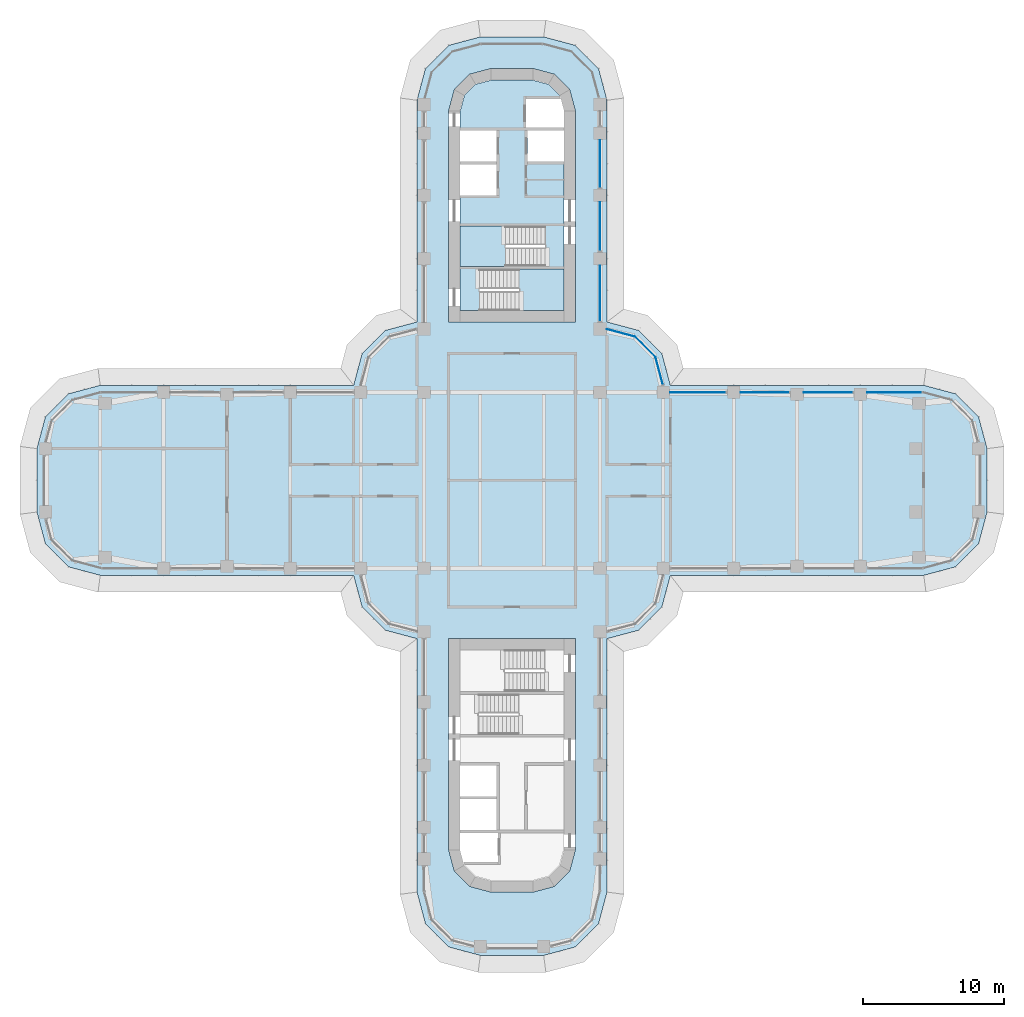
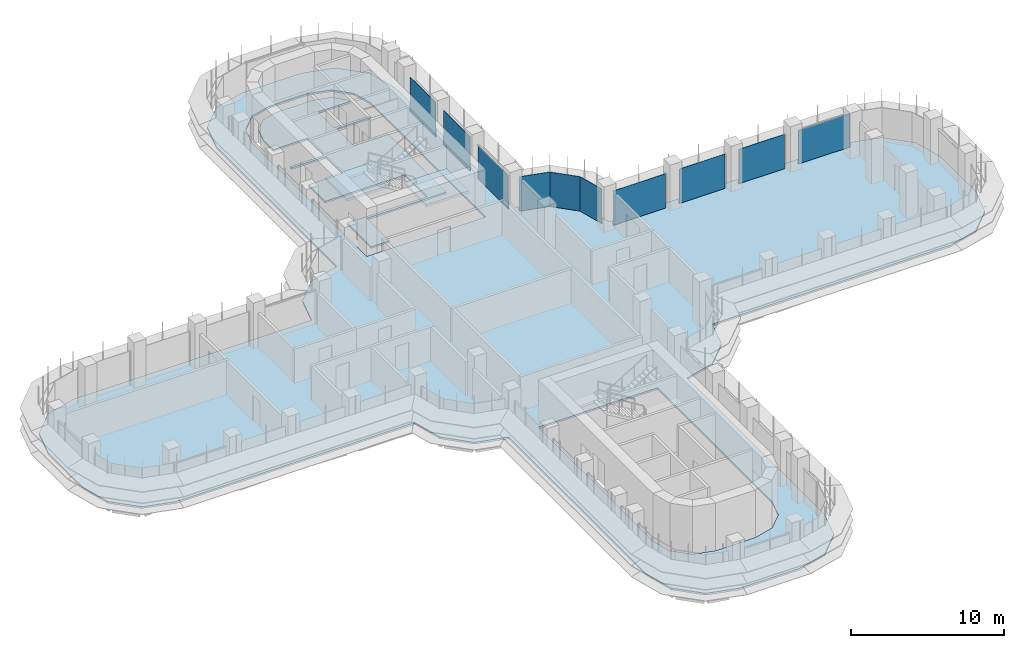
# One storey, part 14 of 21: 10 plates, 4 slabs, 7 elements without a shape of their own.
"""IFC4 building model written with IfcOpenShell, lengths in metres."""

from ifc_helpers import new_model, si_unit, direction, frame, origin, place, context, subcontext, project, spatial, polyline, outline, extrude, source, transform, mapped, material, layer, layer_set, type_object, element, aggregate, save


model = new_model("IFC4")

# Units and contexts
model_context = context("Model", 3, precision=1e-05, world=origin(), true_north=direction((0.0, 1.0)))
body_context = subcontext(model_context, "Body", "Model", "MODEL_VIEW")
ifc_project = project(units=[si_unit("LENGTHUNIT", "METRE"), si_unit("AREAUNIT", "SQUARE_METRE"), si_unit("VOLUMEUNIT", "CUBIC_METRE"), si_unit("PLANEANGLEUNIT", "RADIAN"), si_unit("MASSUNIT", "GRAM", prefix="KILO")], contexts=[model_context])

# Site, building, storey
site_placement = place(None, origin())
site = spatial("IfcSite", under=ifc_project, at=site_placement, CompositionType="ELEMENT")
building_placement = place(site_placement, origin())
building = spatial("IfcBuilding", under=site, at=building_placement, Name="Zarbagh Exchange Tower", CompositionType="ELEMENT")
storey_placement = place(building_placement, frame((0.0, 0.0, 120.800048828125)))
storey = spatial("IfcBuildingStorey", under=building, at=storey_placement, Name="L28", CompositionType="ELEMENT", Elevation=120.800048828125)

# Slabs
ifc_material_1 = material(Name="Concrete C40/50", Category="concrete")
ifc_layer_1 = layer(ifc_material_1, 0.14990234375)
ifc_layer_set_1 = layer_set([ifc_layer_1], Name="Composite floor slab 150 C40/50")
slab_type_1 = type_object("IfcSlabType", Name="Composite floor slab 150 C40/50", PredefinedType="FLOOR", material=ifc_layer_set_1)
slab_1_placement = place(storey_placement, frame((0.0, 0.0, -0.150146484375)))
element("IfcSlab", 1, at=slab_1_placement, inside=storey, type_object=slab_type_1, Name="S5 composite floor slab", PredefinedType="FLOOR", context=body_context, shape_type="SweptSolid", body=[
    extrude(outline(polyline([(-2.25, -33.75), (-4.5, -33.147216796875), (-6.147216796875, -31.5), (-6.75, -29.25), (-6.75, -11.25), (-9.0, -10.647216796875), (-10.647216796875, -9.0), (-11.25, -6.75), (-29.25, -6.75), (-31.5, -6.147216796875), (-33.147216796875, -4.5), (-33.75, -2.25), (-33.75, 2.25), (-33.147216796875, 4.5), (-31.5, 6.147216796875), (-29.25, 6.75), (-11.25, 6.75), (-10.647216796875, 9.0), (-9.0, 10.647216796875), (-6.75, 11.25), (-6.75, 27.0), (-6.147216796875, 29.25), (-4.5, 30.897216796875), (-2.25, 31.5), (2.25, 31.5), (4.5, 30.897216796875), (6.147216796875, 29.25), (6.75, 27.0), (6.75, 11.25), (9.0, 10.647216796875), (10.647216796875, 9.0), (11.25, 6.75), (29.25, 6.75), (31.5, 6.147216796875), (33.147216796875, 4.5), (33.75, 2.25), (33.75, -2.25), (33.147216796875, -4.5), (31.5, -6.147216796875), (29.25, -6.75), (11.25, -6.75), (10.647216796875, -9.0), (9.0, -10.647216796875), (6.75, -11.25), (6.75, -29.25), (6.147216796875, -31.5), (4.5, -33.147216796875), (2.25, -33.75), (-2.25, -33.75)]), holes=[polyline([(4.5, 11.25), (4.5, 26.25), (4.09814453125, 27.75), (3.0, 28.84814453125), (1.5, 29.25), (-1.5, 29.25), (-3.0, 28.84814453125), (-4.09814453125, 27.75), (-4.5, 26.25), (-4.5, 11.25), (4.5, 11.25)]), polyline([(-1.5, -29.25), (1.5, -29.25), (3.0, -28.84814453125), (4.09814453125, -27.75), (4.5, -26.25), (4.5, -11.25), (-4.5, -11.25), (-4.5, -26.25), (-4.09814453125, -27.75), (-3.0, -28.84814453125), (-1.5, -29.25)])]), origin(), (0.0, 0.0, 1.0), 0.150146484375),
])
ifc_layer_2 = layer(ifc_material_1, 0.14990234375)
ifc_layer_set_2 = layer_set([ifc_layer_2], Name="Core floor slab 150 C40/50")
slab_type_2 = type_object("IfcSlabType", Name="Core floor slab 150 C40/50", PredefinedType="FLOOR", material=ifc_layer_set_2)
slab_2_placement = place(storey_placement, frame((0.0, 0.0, -0.150146484375)))
element("IfcSlab", 2, at=slab_2_placement, inside=storey, type_object=slab_type_2, Name="S17 core N", PredefinedType="FLOOR", context=body_context, shape_type="SweptSolid", body=[
    extrude(outline(polyline([(-3.699951171875, 12.050048828125), (-3.699951171875, 15.199951171875), (2.35009765625, 15.199951171875), (2.35009765625, 18.050048828125), (-3.699951171875, 18.050048828125), (-3.699951171875, 20.25), (-1.10009765625, 20.25), (-1.10009765625, 22.449951171875), (-3.699951171875, 22.449951171875), (-3.699951171875, 22.64990234375), (-1.10009765625, 22.64990234375), (-1.10009765625, 24.85009765625), (-3.699951171875, 24.85009765625), (-3.699951171875, 26.144775390625), (-3.380859375, 27.3359375), (-2.5859375, 28.130859375), (-1.394775390625, 28.449951171875), (1.394775390625, 28.449951171875), (2.5859375, 28.130859375), (3.380859375, 27.3359375), (3.646484375, 26.3447265625), (3.444091796875, 27.10009765625), (1.0, 27.10009765625), (1.0, 25.050048828125), (3.699951171875, 25.050048828125), (3.699951171875, 24.85009765625), (1.10009765625, 24.85009765625), (1.10009765625, 22.64990234375), (3.699951171875, 22.64990234375), (3.699951171875, 15.0), (-2.300048828125, 15.0), (-2.300048828125, 12.050048828125), (-3.699951171875, 12.050048828125)])), origin(), (0.0, 0.0, 1.0), 0.150146484375),
])

# Stair, slab
stair_type = type_object("IfcStairType", Name="Exit stair two-flight half-turn", PredefinedType="HALF_TURN_STAIR", material=ifc_material_1)
stair_1_placement = place(storey_placement, origin())
stair_1 = element("IfcStair", 3, at=stair_1_placement, inside=storey, type_object=stair_type, Name="exit stair ST1", PredefinedType="HALF_TURN_STAIR")
ifc_layer_3 = layer(ifc_material_1, 0.199951171875)
ifc_layer_set_3 = layer_set([ifc_layer_3], Name="Stair landing 200 mm")
slab_type_3 = type_object("IfcSlabType", Name="Stair landing 200 mm", PredefinedType="LANDING", material=ifc_layer_set_3)
slab_3_placement = place(storey_placement, frame((0.0, 0.0, 1.699951171875)))
slab_3 = element("IfcSlab", 4, at=slab_3_placement, type_object=slab_type_3, Name="ST1 landing 1", PredefinedType="LANDING", context=body_context, shape_type="SweptSolid", body=[
    extrude(outline(polyline([(-0.449951171875, 18.050048828125), (-3.699951171875, 18.050048828125), (-3.699951171875, 15.199951171875), (-0.449951171875, 15.199951171875), (-0.449951171875, 18.050048828125)])), origin(), (0.0, 0.0, 1.0), 0.199951171875),
])
aggregate(stair_1, [slab_3])

stair_2_placement = place(storey_placement, origin())
stair_2 = element("IfcStair", 5, at=stair_2_placement, inside=storey, type_object=stair_type, Name="exit stair ST2", PredefinedType="HALF_TURN_STAIR")
slab_4_placement = place(storey_placement, frame((0.0, 0.0, 1.699951171875)))
slab_4 = element("IfcSlab", 6, at=slab_4_placement, type_object=slab_type_3, Name="ST2 landing 1", PredefinedType="LANDING", context=body_context, shape_type="SweptSolid", body=[
    extrude(outline(polyline([(0.5, 12.050048828125), (3.699951171875, 12.050048828125), (3.699951171875, 15.0), (0.5, 15.0), (0.5, 12.050048828125)])), origin(), (0.0, 0.0, 1.0), 0.199951171875),
])
aggregate(stair_2, [slab_4])

# Curtain wall, plate
ifc_material_2 = material(Name="Anodised aluminium frame and glazing", Category="aluminium")
curtain_wall_type = type_object("IfcCurtainWallType", Name="CWA Ribbon glazing, lower zones", PredefinedType="NOTDEFINED", material=ifc_material_2)
curtain_wall_1_placement = place(storey_placement, origin())
curtain_wall_1 = element("IfcCurtainWall", 7, at=curtain_wall_1_placement, inside=storey, type_object=curtain_wall_type, Name="CWA18 curtain wall", PredefinedType="NOTDEFINED")
ifc_material_3 = material(Name="Low-e double glazed unit, 6+12+6 mm")
ifc_layer_4 = layer(ifc_material_3, 0.028076171875)
ifc_layer_set_4 = layer_set([ifc_layer_4], Name="PAA Glazing panel, Low-e double glazed unit, 6+12+6 mm")
plate_type = type_object("IfcPlateType", Name="PAA Glazing panel, Low-e double glazed unit, 6+12+6 mm", PredefinedType="CURTAIN_PANEL", material=ifc_layer_set_4)
shared_shape_1 = source(origin(), body_context, "Body", "SweptSolid", [
    extrude(outline(polyline([(0.0, -0.013916015625), (2.061279296875, -0.013916015625), (2.061279296875, 0.013916015625), (0.0, 0.013916015625), (0.0, -0.013916015625)])), origin(), (0.0, 0.0, 1.0), 2.75),
])
placement = place(storey_placement, origin())
plate_1 = element("IfcPlate", 8, at=placement, type_object=plate_type, Name="CWA18 glazing panel 1.1", PredefinedType="CURTAIN_PANEL", context=body_context, shape_type="MappedRepresentation", body=[
    mapped(shared_shape_1, transform((10.19873046875, 8.7412109375, 0.0), x_axis=(-0.707106781187, 0.707106781187, 0.0), y_axis=(-0.707106781187, -0.707106781187, 0.0), z_axis=(0.0, 0.0, 1.0))),
])
aggregate(curtain_wall_1, [plate_1])

curtain_wall_2_placement = place(storey_placement, origin())
curtain_wall_2 = element("IfcCurtainWall", 9, at=curtain_wall_2_placement, inside=storey, type_object=curtain_wall_type, Name="CWA49 curtain wall", PredefinedType="NOTDEFINED")
shared_shape_2 = source(origin(), body_context, "Body", "SweptSolid", [
    extrude(outline(polyline([(0.0, -0.013916015625), (3.360107421875, -0.013916015625), (3.360107421875, 0.013916015625), (0.0, 0.013916015625), (0.0, -0.013916015625)])), origin(), (0.0, 0.0, 1.0), 2.75),
])
plate_2 = element("IfcPlate", 10, at=placement, type_object=plate_type, Name="CWA49 glazing panel 3.1", PredefinedType="CURTAIN_PANEL", context=body_context, shape_type="MappedRepresentation", body=[
    mapped(shared_shape_2, transform((6.25, 20.800048828125, 0.0), x_axis=(0.0, 1.0, 0.0), y_axis=(-1.0, 0.0, 0.0), z_axis=(0.0, 0.0, 1.0))),
])

# Curtain wall, plates
curtain_wall_3_placement = place(storey_placement, origin())
curtain_wall_3 = element("IfcCurtainWall", 11, at=curtain_wall_3_placement, inside=storey, type_object=curtain_wall_type, Name="CWA16 curtain wall", PredefinedType="NOTDEFINED")
shared_shape_3 = source(origin(), body_context, "Body", "SweptSolid", [
    extrude(outline(polyline([(0.0, -0.013916015625), (3.4599609375, -0.013916015625), (3.4599609375, 0.013916015625), (0.0, 0.013916015625), (0.0, -0.013916015625)])), origin(), (0.0, 0.0, 1.0), 2.75),
])
plate_3 = element("IfcPlate", 12, at=placement, type_object=plate_type, Name="CWA16 glazing panel 2.1", PredefinedType="CURTAIN_PANEL", context=body_context, shape_type="MappedRepresentation", body=[
    mapped(shared_shape_3, transform((24.199951171875, 6.25, 0.0), x_axis=(-1.0, 0.0, 0.0), y_axis=(0.0, -1.0, 0.0), z_axis=(0.0, 0.0, 1.0))),
])
plate_4 = element("IfcPlate", 13, at=placement, type_object=plate_type, Name="CWA16 glazing panel 3.1", PredefinedType="CURTAIN_PANEL", context=body_context, shape_type="MappedRepresentation", body=[
    mapped(shared_shape_3, transform((19.699951171875, 6.25, 0.0), x_axis=(-1.0, 0.0, 0.0), y_axis=(0.0, -1.0, 0.0), z_axis=(0.0, 0.0, 1.0))),
])

# Plate
plate_5 = element("IfcPlate", 14, at=placement, type_object=plate_type, Name="CWA49 glazing panel 2.1", PredefinedType="CURTAIN_PANEL", context=body_context, shape_type="MappedRepresentation", body=[
    mapped(shared_shape_3, transform((6.25, 16.300048828125, 0.0), x_axis=(0.0, 1.0, 0.0), y_axis=(-1.0, 0.0, 0.0), z_axis=(0.0, 0.0, 1.0))),
])

shared_shape_4 = source(origin(), body_context, "Body", "SweptSolid", [
    extrude(outline(polyline([(0.0, -0.013916015625), (3.9599609375, -0.013916015625), (3.9599609375, 0.013916015625), (0.0, 0.013916015625), (0.0, -0.013916015625)])), origin(), (0.0, 0.0, 1.0), 2.75),
])
plate_6 = element("IfcPlate", 15, at=placement, type_object=plate_type, Name="CWA16 glazing panel 4.1", PredefinedType="CURTAIN_PANEL", context=body_context, shape_type="MappedRepresentation", body=[
    mapped(shared_shape_4, transform((15.199951171875, 6.25, 0.0), x_axis=(-1.0, 0.0, 0.0), y_axis=(0.0, -1.0, 0.0), z_axis=(0.0, 0.0, 1.0))),
])

# Curtain wall, plate
curtain_wall_4_placement = place(storey_placement, origin())
curtain_wall_4 = element("IfcCurtainWall", 16, at=curtain_wall_4_placement, inside=storey, type_object=curtain_wall_type, Name="CWA17 curtain wall", PredefinedType="NOTDEFINED")
shared_shape_5 = source(origin(), body_context, "Body", "SweptSolid", [
    extrude(outline(polyline([(0.0, -0.013916015625), (2.01171875, -0.013916015625), (2.01171875, 0.013916015625), (0.0, 0.013916015625), (0.0, -0.013916015625)])), origin(), (0.0, 0.0, 1.0), 2.75),
])
plate_7 = element("IfcPlate", 17, at=placement, type_object=plate_type, Name="CWA17 glazing panel 1.1", PredefinedType="CURTAIN_PANEL", context=body_context, shape_type="MappedRepresentation", body=[
    mapped(shared_shape_5, transform((10.719482421875, 6.7978515625, 0.0), x_axis=(-0.258824779902, 0.965924289636, 0.0), y_axis=(-0.965924289636, -0.258824779902, 0.0), z_axis=(0.0, 0.0, 1.0))),
])
aggregate(curtain_wall_4, [plate_7])

curtain_wall_5_placement = place(storey_placement, origin())
curtain_wall_5 = element("IfcCurtainWall", 18, at=curtain_wall_5_placement, inside=storey, type_object=curtain_wall_type, Name="CWA19 curtain wall", PredefinedType="NOTDEFINED")
shared_shape_6 = source(origin(), body_context, "Body", "SweptSolid", [
    extrude(outline(polyline([(0.0, -0.013916015625), (2.07177734375, -0.013916015625), (2.07177734375, 0.013916015625), (0.0, 0.013916015625), (0.0, -0.013916015625)])), origin(), (0.0, 0.0, 1.0), 2.75),
])
plate_8 = element("IfcPlate", 19, at=placement, type_object=plate_type, Name="CWA19 glazing panel 1.1", PredefinedType="CURTAIN_PANEL", context=body_context, shape_type="MappedRepresentation", body=[
    mapped(shared_shape_6, transform((8.7412109375, 10.19873046875, 0.0), x_axis=(-0.965924289636, 0.258824779902, 0.0), y_axis=(-0.258824779902, -0.965924289636, 0.0), z_axis=(0.0, 0.0, 1.0))),
])
aggregate(curtain_wall_5, [plate_8])

# Plate
shared_shape_7 = source(origin(), body_context, "Body", "SweptSolid", [
    extrude(outline(polyline([(0.0, -0.013916015625), (3.9599609375, -0.013916015625), (3.9599609375, 0.013916015625), (0.0, 0.013916015625), (0.0, -0.013916015625)])), origin(), (0.0, 0.0, 1.0), 2.68994140625),
])
plate_9 = element("IfcPlate", 20, at=placement, type_object=plate_type, Name="CWA49 glazing panel 1.1", PredefinedType="CURTAIN_PANEL", context=body_context, shape_type="MappedRepresentation", body=[
    mapped(shared_shape_7, transform((6.25, 11.300048828125, 0.0), x_axis=(0.0, 1.0, 0.0), y_axis=(-1.0, 0.0, 0.0), z_axis=(0.0, 0.0, 1.0))),
])

aggregate(curtain_wall_2, [plate_9, plate_5, plate_2])

shared_shape_8 = source(origin(), body_context, "Body", "SweptSolid", [
    extrude(outline(polyline([(0.0, -0.013916015625), (3.88427734375, -0.013916015625), (3.88427734375, 0.013916015625), (0.0, 0.013916015625), (0.0, -0.013916015625)])), origin(), (0.0, 0.0, 1.0), 2.68994140625),
])
plate_10 = element("IfcPlate", 21, at=placement, type_object=plate_type, Name="CWA16 glazing panel 1.1", PredefinedType="CURTAIN_PANEL", context=body_context, shape_type="MappedRepresentation", body=[
    mapped(shared_shape_8, transform((29.124267578125, 6.25, 0.0), x_axis=(-1.0, 0.0, 0.0), y_axis=(0.0, -1.0, 0.0), z_axis=(0.0, 0.0, 1.0))),
])

aggregate(curtain_wall_3, [plate_10, plate_3, plate_4, plate_6])

save(model, "model.ifc")
